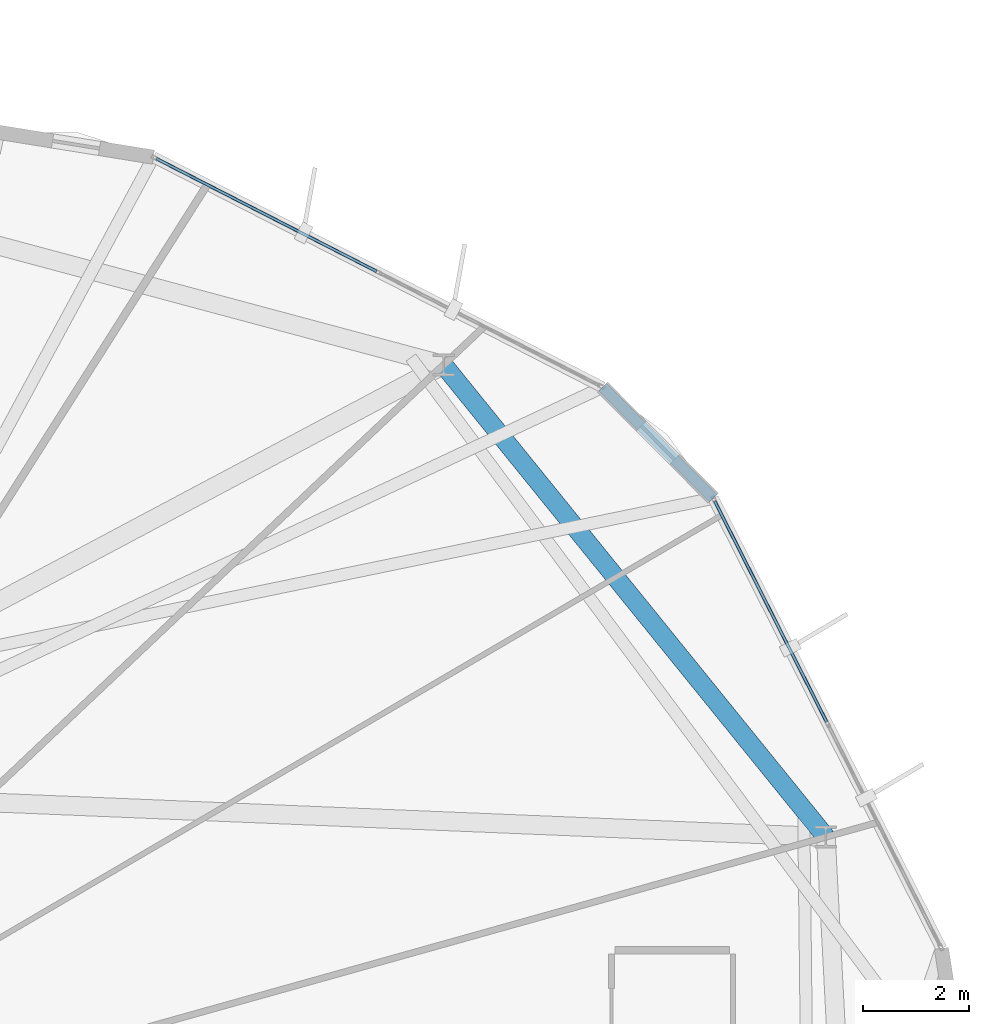
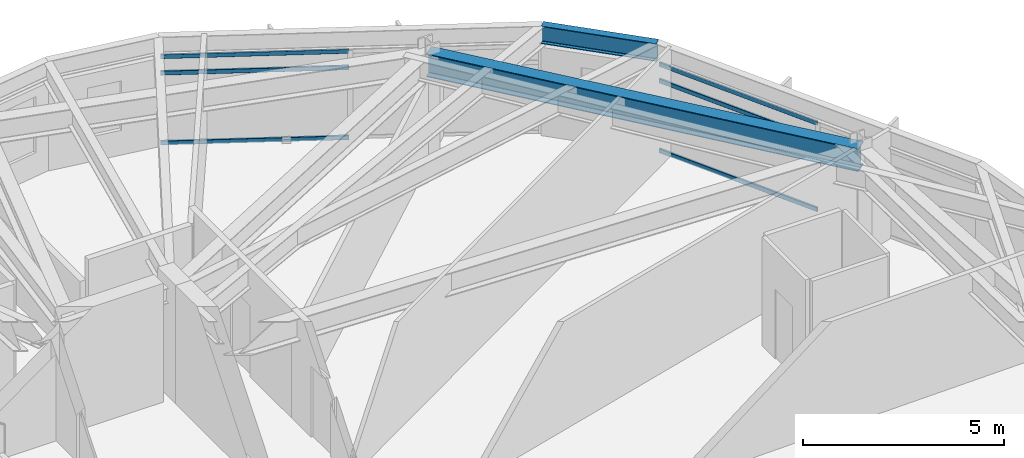
# One storey, part 18 of 27: 6 members, 2 beams, 2 elements without a shape of their own.
"""IFC4 building model written with IfcOpenShell, lengths in metres."""

from ifc_helpers import new_model, si_unit, direction, frame, origin, origin_2d, place, context, subcontext, project, spatial, hollow_rectangle, i_section, extrude, material, layer, layer_set, material_profile, profile_set, type_object, element, aggregate, save


model = new_model("IFC4")

# Units and contexts
model_context = context("Model", 3, precision=1e-05, world=origin(), true_north=direction((0.0, 1.0)))
body_context = subcontext(model_context, "Body", "Model", "MODEL_VIEW")
ifc_project = project(units=[si_unit("LENGTHUNIT", "METRE"), si_unit("AREAUNIT", "SQUARE_METRE"), si_unit("VOLUMEUNIT", "CUBIC_METRE"), si_unit("PLANEANGLEUNIT", "RADIAN"), si_unit("MASSUNIT", "GRAM", prefix="KILO")], contexts=[model_context])

# Site, building, storey
site_placement = place(None, origin())
site = spatial("IfcSite", under=ifc_project, at=site_placement, CompositionType="ELEMENT")
building_placement = place(site_placement, origin())
building = spatial("IfcBuilding", under=site, at=building_placement, Name="Soratama Intermodal Tower", CompositionType="ELEMENT")
storey_placement = place(building_placement, frame((0.0, 0.0, 197.800048828125)))
storey = spatial("IfcBuildingStorey", under=building, at=storey_placement, Name="L49", CompositionType="ELEMENT", Elevation=197.800048828125)

# Beams
ifc_material_1 = material(Name="Structural steel ASTM A992 Grade 50", Category="steel")
ifc_material_profile_1 = material_profile(ifc_material_1, i_section(OverallWidth=0.35498046875, OverallDepth=0.695068359375, WebThickness=0.015380859375, FlangeThickness=0.02490234375, FilletRadius=0.01611328125, at=origin_2d()), Name="W27X146")
ifc_profile_set_1 = profile_set([ifc_material_profile_1], Name="Structural steel ASTM A992 Grade 50")
beam_type_1 = type_object("IfcBeamType", Name="BM-RING-W27X146", PredefinedType="BEAM", material=ifc_profile_set_1)
beam_1_placement = place(storey_placement, frame((62.364990234375, 31.666015625, 2.952392578125), z_axis=(-0.629384551156, 0.777094001242, 0.0), x_axis=(-0.777094001242, -0.629384551156, 0.0)))
element("IfcBeam", 1, at=beam_1_placement, inside=storey, type_object=beam_type_1, Name="BM-L49-RING-01", PredefinedType="BEAM", context=body_context, shape_type="SweptSolid", body=[
    extrude(i_section(OverallWidth=0.35498046875, OverallDepth=0.695068359375, WebThickness=0.015380859375, FlangeThickness=0.02490234375, FilletRadius=0.01611328125, at=origin_2d()), origin(), (0.0, 0.0, 1.0), 11.49560546875),
])
ifc_material_2 = material(Name="Structural steel ASTM A992 Grade 50", Category="steel")
ifc_material_profile_2 = material_profile(ifc_material_2, i_section(OverallWidth=0.2099609375, OverallDepth=0.537109375, WebThickness=0.010986328125, FlangeThickness=0.017333984375, FilletRadius=0.012939453125, at=origin_2d()), Name="W21X68")
ifc_profile_set_2 = profile_set([ifc_material_profile_2], Name="Structural steel ASTM A992 Grade 50")
beam_type_2 = type_object("IfcBeamType", Name="BM-SPN-W21X68", PredefinedType="SPANDREL", material=ifc_profile_set_2)
beam_2_placement = place(storey_placement, frame((60.23291015625, 38.075927734375, 3.031494140625), z_axis=(-0.705582538716, 0.708627745053, 0.0), x_axis=(-0.708627745053, -0.705582538716, 0.0)))
element("IfcBeam", 2, at=beam_2_placement, inside=storey, type_object=beam_type_2, Name="BS-L49-CRN10", PredefinedType="SPANDREL", context=body_context, shape_type="SweptSolid", body=[
    extrude(i_section(OverallWidth=0.2099609375, OverallDepth=0.537109375, WebThickness=0.010986328125, FlangeThickness=0.017333984375, FilletRadius=0.012939453125, at=origin_2d()), origin(), (0.0, 0.0, 1.0), 2.96630859375),
])

# Curtain wall, members
ifc_material_3 = material(Name="Double-glazed aluminium curtain wall", Category="aluminium")
ifc_layer = layer(ifc_material_3, 0.159912109375)
ifc_layer_set = layer_set([ifc_layer], Name="Double-glazed aluminium curtain wall")
curtain_wall_type = type_object("IfcCurtainWallType", Name="CW-SYS-5", PredefinedType="NOTDEFINED", material=ifc_layer_set)
curtain_wall_1_placement = place(storey_placement, origin())
curtain_wall_1 = element("IfcCurtainWall", 3, at=curtain_wall_1_placement, inside=storey, type_object=curtain_wall_type, Name="L49 Faceted Curtain Wall F01", PredefinedType="NOTDEFINED")
ifc_material_4 = material(Name="Anodised aluminium AA 6063-T6", Category="aluminium")
ifc_material_profile_3 = material_profile(ifc_material_4, hollow_rectangle(XDim=0.06005859375, YDim=0.1298828125, WallThickness=0.0048828125, InnerFilletRadius=0.0048828125, OuterFilletRadius=0.010009765625, at=origin_2d()), Name="CWT130X60X5")
ifc_profile_set_3 = profile_set([ifc_material_profile_3], Name="Anodised aluminium AA 6063-T6")
member_type = type_object("IfcMemberType", Name="TT-CWT-2", PredefinedType="USERDEFINED", material=ifc_profile_set_3)
member_1_placement = place(storey_placement, frame((53.8623046875, 42.369384765625, 0.030029296875), z_axis=(-0.890050582917, 0.455861777132, 0.0), x_axis=(-0.455861777132, -0.890050582917, 0.0)))
member_1 = element("IfcMember", 4, at=member_1_placement, type_object=member_type, Name="CW-5 transom 2.1", ObjectType="TRANSOM", PredefinedType="USERDEFINED", context=body_context, shape_type="SweptSolid", body=[
    extrude(hollow_rectangle(XDim=0.06005859375, YDim=0.1298828125, WallThickness=0.0048828125, InnerFilletRadius=0.0048828125, OuterFilletRadius=0.010009765625, at=origin_2d()), origin(), (0.0, 0.0, 1.0), 4.68603515625),
])
member_2_placement = place(storey_placement, frame((53.8623046875, 42.369384765625, 2.14990234375), z_axis=(-0.890050582917, 0.455861777132, 0.0), x_axis=(-0.455861777132, -0.890050582917, 0.0)))
member_2 = element("IfcMember", 5, at=member_2_placement, type_object=member_type, Name="CW-5 transom 2.2", ObjectType="TRANSOM", PredefinedType="USERDEFINED", context=body_context, shape_type="SweptSolid", body=[
    extrude(hollow_rectangle(XDim=0.06005859375, YDim=0.1298828125, WallThickness=0.0048828125, InnerFilletRadius=0.0048828125, OuterFilletRadius=0.010009765625, at=origin_2d()), origin(), (0.0, 0.0, 1.0), 4.68603515625),
])
member_3_placement = place(storey_placement, frame((53.8623046875, 42.369384765625, 2.64892578125), z_axis=(-0.890050582917, 0.455861777132, 0.0), x_axis=(-0.455861777132, -0.890050582917, 0.0)))
member_3 = element("IfcMember", 6, at=member_3_placement, type_object=member_type, Name="CW-5 transom 2.3", ObjectType="TRANSOM", PredefinedType="USERDEFINED", context=body_context, shape_type="SweptSolid", body=[
    extrude(hollow_rectangle(XDim=0.06005859375, YDim=0.1298828125, WallThickness=0.0048828125, InnerFilletRadius=0.0048828125, OuterFilletRadius=0.010009765625, at=origin_2d()), origin(), (0.0, 0.0, 1.0), 4.68603515625),
])
aggregate(curtain_wall_1, [member_1, member_2, member_3])

curtain_wall_2_placement = place(storey_placement, origin())
curtain_wall_2 = element("IfcCurtainWall", 7, at=curtain_wall_2_placement, inside=storey, type_object=curtain_wall_type, Name="L49 Faceted Curtain Wall F10", PredefinedType="NOTDEFINED")
member_4_placement = place(storey_placement, frame((62.379150390625, 33.843017578125, 0.030029296875), z_axis=(-0.452104078533, 0.891965191122, 0.0), x_axis=(-0.891965191122, -0.452104078533, 0.0)))
member_4 = element("IfcMember", 8, at=member_4_placement, type_object=member_type, Name="CW-5 transom 2.1", ObjectType="TRANSOM", PredefinedType="USERDEFINED", context=body_context, shape_type="SweptSolid", body=[
    extrude(hollow_rectangle(XDim=0.06005859375, YDim=0.1298828125, WallThickness=0.0048828125, InnerFilletRadius=0.0048828125, OuterFilletRadius=0.010009765625, at=origin_2d()), origin(), (0.0, 0.0, 1.0), 4.686279296875),
])
member_5_placement = place(storey_placement, frame((62.379150390625, 33.843017578125, 2.14990234375), z_axis=(-0.452104078533, 0.891965191122, 0.0), x_axis=(-0.891965191122, -0.452104078533, 0.0)))
member_5 = element("IfcMember", 9, at=member_5_placement, type_object=member_type, Name="CW-5 transom 2.2", ObjectType="TRANSOM", PredefinedType="USERDEFINED", context=body_context, shape_type="SweptSolid", body=[
    extrude(hollow_rectangle(XDim=0.06005859375, YDim=0.1298828125, WallThickness=0.0048828125, InnerFilletRadius=0.0048828125, OuterFilletRadius=0.010009765625, at=origin_2d()), origin(), (0.0, 0.0, 1.0), 4.686279296875),
])
member_6_placement = place(storey_placement, frame((62.379150390625, 33.843017578125, 2.64892578125), z_axis=(-0.452104078533, 0.891965191122, 0.0), x_axis=(-0.891965191122, -0.452104078533, 0.0)))
member_6 = element("IfcMember", 10, at=member_6_placement, type_object=member_type, Name="CW-5 transom 2.3", ObjectType="TRANSOM", PredefinedType="USERDEFINED", context=body_context, shape_type="SweptSolid", body=[
    extrude(hollow_rectangle(XDim=0.06005859375, YDim=0.1298828125, WallThickness=0.0048828125, InnerFilletRadius=0.0048828125, OuterFilletRadius=0.010009765625, at=origin_2d()), origin(), (0.0, 0.0, 1.0), 4.686279296875),
])
aggregate(curtain_wall_2, [member_4, member_5, member_6])

save(model, "model.ifc")
